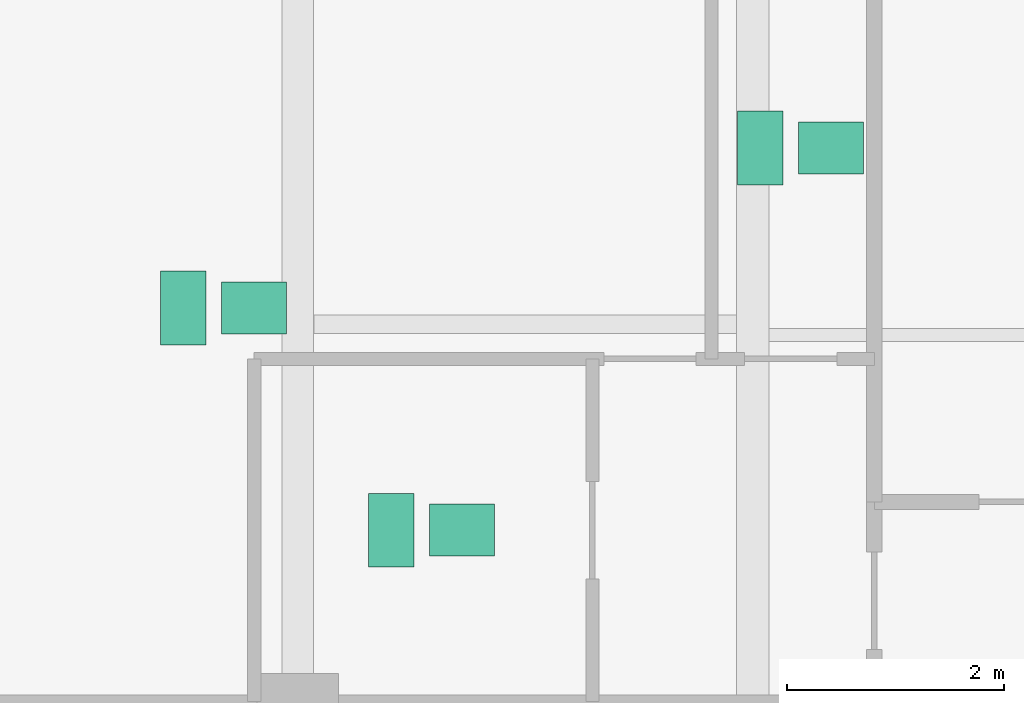
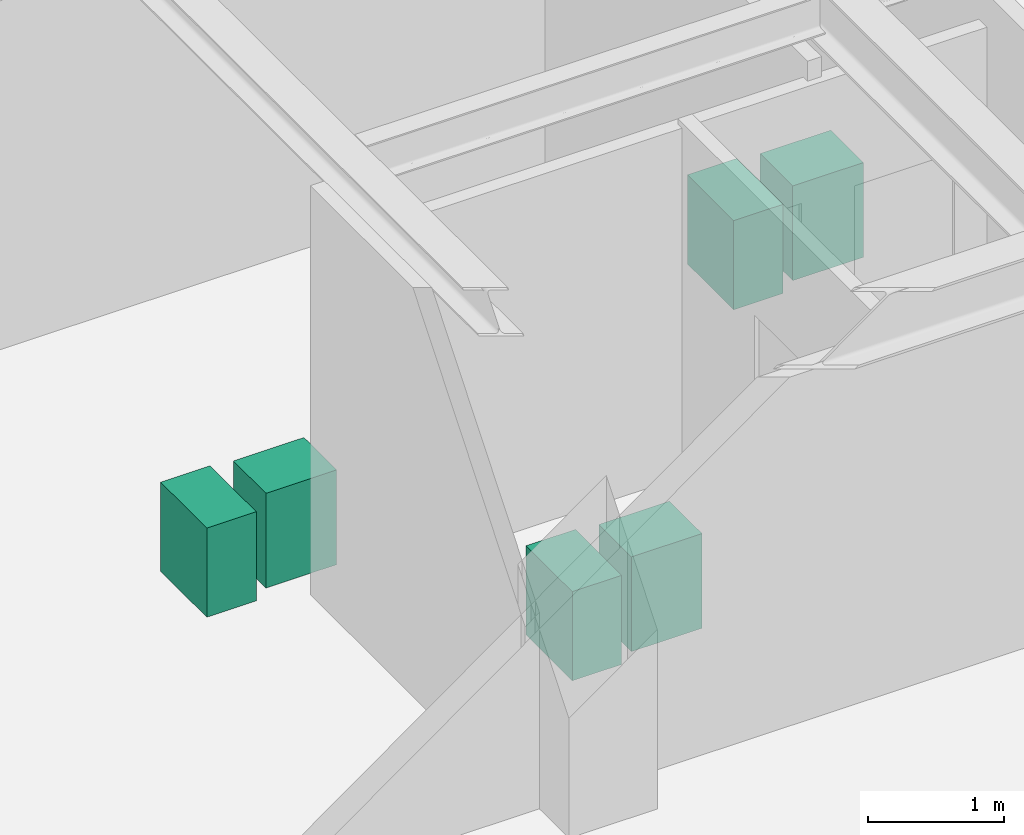
# One storey, part 20 of 20: 6 sanitary terminals.
"""IFC4 building model written with IfcOpenShell, lengths in metres."""

from ifc_helpers import new_model, si_unit, direction, frame, origin, origin_2d, place, context, subcontext, project, spatial, rectangle, extrude, source, transform, mapped, material, type_object, type_shapes, element, save


model = new_model("IFC4")

# Units and contexts
model_context = context("Model", 3, precision=1e-05, world=origin(), true_north=direction((0.0, 1.0)))
body_context = subcontext(model_context, "Body", "Model", "MODEL_VIEW")
ifc_project = project(units=[si_unit("LENGTHUNIT", "METRE"), si_unit("AREAUNIT", "SQUARE_METRE"), si_unit("VOLUMEUNIT", "CUBIC_METRE"), si_unit("PLANEANGLEUNIT", "RADIAN"), si_unit("MASSUNIT", "GRAM", prefix="KILO")], contexts=[model_context])

# Site, building, storey
site_placement = place(None, origin())
site = spatial("IfcSite", under=ifc_project, at=site_placement, CompositionType="ELEMENT")
building_placement = place(site_placement, origin())
building = spatial("IfcBuilding", under=site, at=building_placement, Name="Krantzveldt Concourse Tower", CompositionType="ELEMENT")
storey_placement = place(building_placement, frame((0.0, 0.0, 287.14990234375)))
storey = spatial("IfcBuildingStorey", under=building, at=storey_placement, Name="L70", CompositionType="ELEMENT", Elevation=287.14990234375)

# Sanitary terminals
ifc_material = material(Name="Vitreous china", Category="ceramic")
sanitary_terminal_type_1 = type_object("IfcSanitaryTerminalType", Name="SAN-WC-SUITE", PredefinedType="TOILETPAN", material=ifc_material)
shared_shape_1 = source(origin(), body_context, "Body", "SweptSolid", [
    extrude(rectangle(XDim=0.419921875, YDim=0.679931640625, at=origin_2d()), origin(), (0.0, 0.0, 1.0), 0.800048828125),
])
type_shapes(sanitary_terminal_type_1, [shared_shape_1])
for number, where, z_axis, x_axis, name in (
    (1, (19.94580078125, 30.449462890625, 0.0), (0.0, 0.0, 1.0), (1.0, 0.0, 0.0), "WC-SP-L70-WCM"),
    (2, (25.27001953125, 31.925048828125, 0.0), (0.0, 0.0, 1.0), (1.0, 0.0, 0.0), "WC-SP-L70-WCF"),
    (3, (21.864990234375, 28.39990234375, 0.0), (0.0, 0.0, 1.0), (1.0, 0.0, 0.0), "WC-SP-L70-WCA"),
):
    element("IfcSanitaryTerminal", number, at=place(storey_placement, frame(where, z_axis=z_axis, x_axis=x_axis)), inside=storey, type_object=sanitary_terminal_type_1, Name=name, PredefinedType="TOILETPAN", context=body_context, shape_type="MappedRepresentation", body=[
        mapped(shared_shape_1, transform((0.0, 0.0, 0.0), x_axis=(1.0, 0.0, 0.0), y_axis=(0.0, 1.0, 0.0), z_axis=(0.0, 0.0, 1.0), scale=1.0)),
    ])
sanitary_terminal_type_2 = type_object("IfcSanitaryTerminalType", Name="SAN-BASIN-600", PredefinedType="WASHHANDBASIN", material=ifc_material)
shared_shape_2 = source(origin(), body_context, "Body", "SweptSolid", [
    extrude(rectangle(XDim=0.60009765625, YDim=0.47998046875, at=origin_2d()), origin(), (0.0, 0.0, 1.0), 0.85009765625),
])
type_shapes(sanitary_terminal_type_2, [shared_shape_2])
for number, where, z_axis, x_axis, name in (
    (4, (20.595703125, 30.449462890625, 0.005126953125), (0.0, 0.0, 1.0), (1.0, 0.0, 0.0), "BSN-SP-L70-WCM"),
    (5, (25.919921875, 31.925048828125, 0.005126953125), (0.0, 0.0, 1.0), (1.0, 0.0, 0.0), "BSN-SP-L70-WCF"),
    (6, (22.514892578125, 28.39990234375, 0.005126953125), (0.0, 0.0, 1.0), (1.0, 0.0, 0.0), "BSN-SP-L70-WCA"),
):
    element("IfcSanitaryTerminal", number, at=place(storey_placement, frame(where, z_axis=z_axis, x_axis=x_axis)), inside=storey, type_object=sanitary_terminal_type_2, Name=name, PredefinedType="WASHHANDBASIN", context=body_context, shape_type="MappedRepresentation", body=[
        mapped(shared_shape_2, transform((0.0, 0.0, 0.0), x_axis=(1.0, 0.0, 0.0), y_axis=(0.0, 1.0, 0.0), z_axis=(0.0, 0.0, 1.0), scale=1.0)),
    ])

save(model, "model.ifc")
